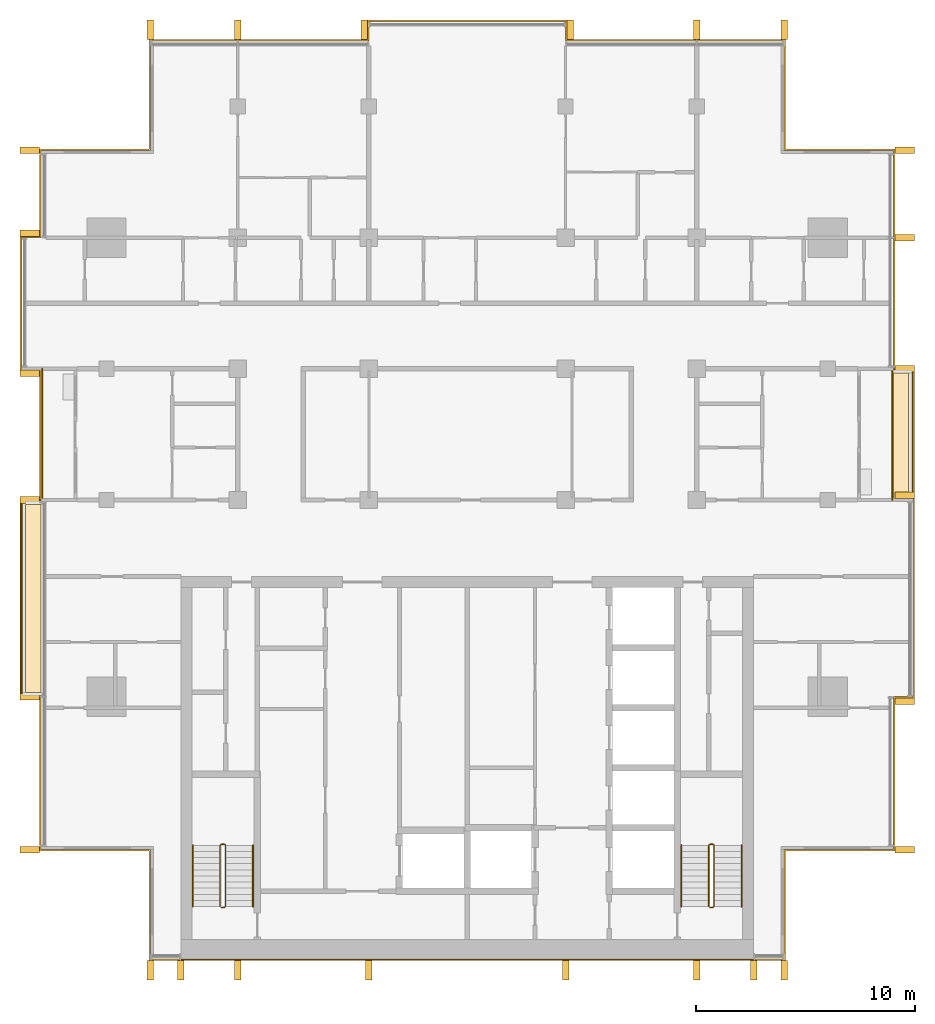
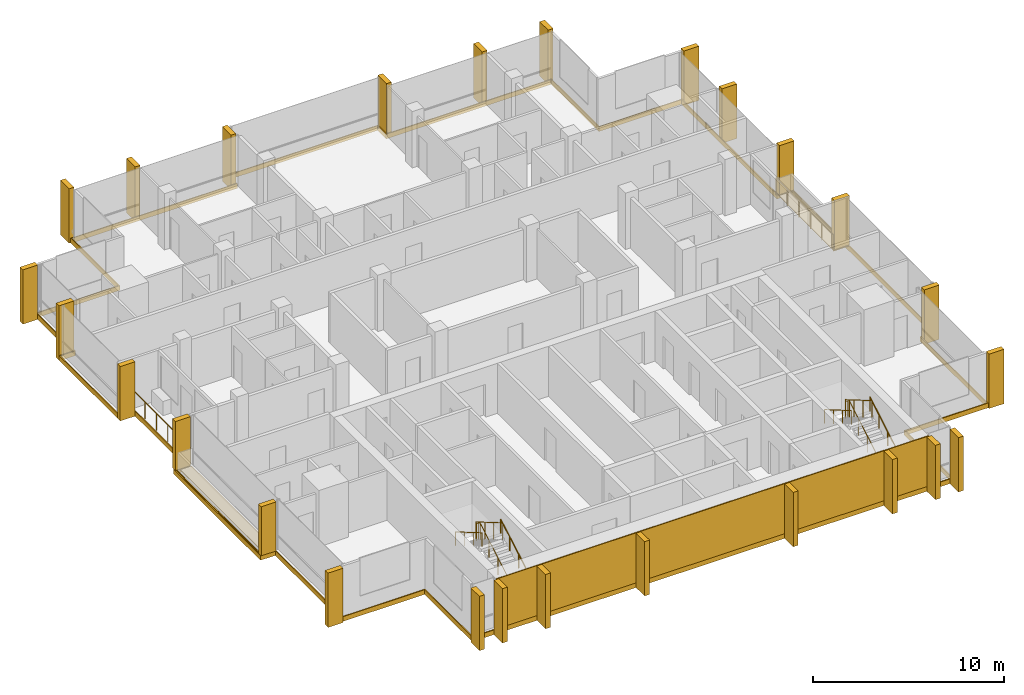
# One storey, part 16 of 16: 26 shading devices, 9 coverings, 8 railings.
"""IFC4 building model written with IfcOpenShell, lengths in metres."""

from ifc_helpers import new_model, si_unit, direction, frame, origin, origin_2d, place, context, subcontext, project, spatial, polyline, rectangle, circle, outline, extrude, material, layer, layer_set, type_object, element, save


model = new_model("IFC4")

# Units and contexts
model_context = context("Model", 3, precision=1e-05, world=origin(), true_north=direction((0.0, 1.0)))
body_context = subcontext(model_context, "Body", "Model", "MODEL_VIEW")
ifc_project = project(units=[si_unit("LENGTHUNIT", "METRE"), si_unit("AREAUNIT", "SQUARE_METRE"), si_unit("VOLUMEUNIT", "CUBIC_METRE"), si_unit("PLANEANGLEUNIT", "RADIAN"), si_unit("MASSUNIT", "GRAM", prefix="KILO")], contexts=[model_context])

# Site, building, storey
site_placement = place(None, origin())
site = spatial("IfcSite", under=ifc_project, at=site_placement, CompositionType="ELEMENT")
building_placement = place(site_placement, origin())
building = spatial("IfcBuilding", under=site, at=building_placement, Name="Finial Court Residences", CompositionType="ELEMENT")
storey_placement = place(building_placement, frame((0.0, 0.0, 295.10009765625)))
storey = spatial("IfcBuildingStorey", under=building, at=storey_placement, Name="L75", CompositionType="ELEMENT", Elevation=295.10009765625)

# Railings
ifc_material_1 = material(Name="Bronze anodised aluminium", Category="aluminium")
railing_type_1 = type_object("IfcRailingType", Name="Balcony guard 1100", PredefinedType="GUARDRAIL", material=ifc_material_1)
for number, where, name in (
    (1, (19.449951171875, -4.5, 0.0), "E-L75-BALE3-R"),
    (2, (-19.449951171875, -4.5, 0.0), "E-L75-BALW3-R"),
):
    element("IfcRailing", number, at=place(storey_placement, frame(where)), inside=storey, type_object=railing_type_1, Name=name, PredefinedType="GUARDRAIL", context=body_context, shape_type="SweptSolid", body=[
        extrude(circle(Radius=0.02392578125, at=origin_2d()), frame((0.0, 0.0, 1.076171875), z_axis=(0.0, 1.0, 0.0), x_axis=(-1.0, 0.0, 0.0)), (0.0, 0.0, 1.0), 6.0),
        extrude(circle(Radius=0.02099609375, at=origin_2d()), origin(), (0.0, 0.0, 1.0), 1.052001953125),
        extrude(circle(Radius=0.02099609375, at=origin_2d()), frame((0.0, 1.199951171875, 0.0)), (0.0, 0.0, 1.0), 1.052001953125),
        extrude(circle(Radius=0.02099609375, at=origin_2d()), frame((0.0, 2.39990234375, 0.0)), (0.0, 0.0, 1.0), 1.052001953125),
        extrude(circle(Radius=0.02099609375, at=origin_2d()), frame((0.0, 3.60009765625, 0.0)), (0.0, 0.0, 1.0), 1.052001953125),
        extrude(circle(Radius=0.02099609375, at=origin_2d()), frame((0.0, 4.800048828125, 0.0)), (0.0, 0.0, 1.0), 1.052001953125),
        extrude(circle(Radius=0.02099609375, at=origin_2d()), frame((0.0, 6.0, 0.0)), (0.0, 0.0, 1.0), 1.052001953125),
    ])

# Coverings
ifc_material_2 = material(Name="Natural limestone", Category="masonry")
ifc_layer_1 = layer(ifc_material_2, 0.06005859375)
ifc_layer_set_1 = layer_set([ifc_layer_1], Name="Limestone cladding to the blind core face 60")
covering_type_1 = type_object("IfcCoveringType", Name="Limestone cladding to the blind core face 60", PredefinedType="CLADDING", material=ifc_layer_set_1)
covering_1_placement = place(storey_placement, origin())
element("IfcCovering", 3, at=covering_1_placement, inside=storey, type_object=covering_type_1, Name="E-L75-CLAD1", PredefinedType="CLADDING", context=body_context, shape_type="SweptSolid", body=[
    extrude(outline(polyline([(-10.5, -25.56005859375), (-10.5, -25.5), (-13.10009765625, -25.5), (-13.10009765625, -25.56005859375), (-10.5, -25.56005859375)])), origin(), (0.0, 0.0, 1.0), 3.199951171875),
])
covering_2_placement = place(storey_placement, origin())
element("IfcCovering", 4, at=covering_2_placement, inside=storey, type_object=covering_type_1, Name="E-L75-CLAD2", PredefinedType="CLADDING", context=body_context, shape_type="SweptSolid", body=[
    extrude(outline(polyline([(-4.5, -25.56005859375), (-4.5, -25.5), (-10.5, -25.5), (-10.5, -25.56005859375), (-4.5, -25.56005859375)])), origin(), (0.0, 0.0, 1.0), 3.199951171875),
])
covering_3_placement = place(storey_placement, origin())
element("IfcCovering", 5, at=covering_3_placement, inside=storey, type_object=covering_type_1, Name="E-L75-CLAD3", PredefinedType="CLADDING", context=body_context, shape_type="SweptSolid", body=[
    extrude(outline(polyline([(4.5, -25.56005859375), (4.5, -25.5), (-4.5, -25.5), (-4.5, -25.56005859375), (4.5, -25.56005859375)])), origin(), (0.0, 0.0, 1.0), 3.199951171875),
])
covering_4_placement = place(storey_placement, origin())
element("IfcCovering", 6, at=covering_4_placement, inside=storey, type_object=covering_type_1, Name="E-L75-CLAD4", PredefinedType="CLADDING", context=body_context, shape_type="SweptSolid", body=[
    extrude(outline(polyline([(10.5, -25.56005859375), (10.5, -25.5), (4.5, -25.5), (4.5, -25.56005859375), (10.5, -25.56005859375)])), origin(), (0.0, 0.0, 1.0), 3.199951171875),
])
covering_5_placement = place(storey_placement, origin())
element("IfcCovering", 7, at=covering_5_placement, inside=storey, type_object=covering_type_1, Name="E-L75-CLAD5", PredefinedType="CLADDING", context=body_context, shape_type="SweptSolid", body=[
    extrude(outline(polyline([(13.10009765625, -25.56005859375), (13.10009765625, -25.5), (10.5, -25.5), (10.5, -25.56005859375), (13.10009765625, -25.56005859375)])), origin(), (0.0, 0.0, 1.0), 3.199951171875),
])

# Shading devices
shading_device_type = type_object("IfcShadingDeviceType", Name="Limestone fin 300 x 900", PredefinedType="USERDEFINED", material=ifc_material_2)
for number, where, z_axis, x_axis, name in (
    (8, (-14.5, 17.010009765625, -0.300048828125), (0.0, 0.0, 1.0), (1.0, 0.0, 0.0), "E-L75-FIN-N1"),
    (9, (-10.5, 17.010009765625, -0.300048828125), (0.0, 0.0, 1.0), (1.0, 0.0, 0.0), "E-L75-FIN-N2"),
    (10, (-4.7099609375, 17.010009765625, -0.300048828125), (0.0, 0.0, 1.0), (1.0, 0.0, 0.0), "E-L75-FIN-N3"),
    (11, (4.7099609375, 17.010009765625, -0.300048828125), (0.0, 0.0, 1.0), (1.0, 0.0, 0.0), "E-L75-FIN-N4"),
    (12, (10.5, 17.010009765625, -0.300048828125), (0.0, 0.0, 1.0), (1.0, 0.0, 0.0), "E-L75-FIN-N5"),
    (13, (14.5, 17.010009765625, -0.300048828125), (0.0, 0.0, 1.0), (1.0, 0.0, 0.0), "E-L75-FIN-N6"),
):
    element("IfcShadingDevice", number, at=place(storey_placement, frame(where, z_axis=z_axis, x_axis=x_axis)), inside=storey, type_object=shading_device_type, Name=name, ObjectType="FIN", PredefinedType="USERDEFINED", context=body_context, shape_type="SweptSolid", body=[
        extrude(rectangle(XDim=0.300048828125, YDim=0.89990234375, at=origin_2d()), origin(), (0.0, 0.0, 1.0), 3.47998046875),
    ])
for number, where, z_axis, x_axis, name in (
    (14, (20.010009765625, -20.5, -0.300048828125), (0.0, 0.0, 1.0), (1.0, 0.0, 0.0), "E-L75-FIN-E7"),
    (15, (20.010009765625, -13.7099609375, -0.300048828125), (0.0, 0.0, 1.0), (1.0, 0.0, 0.0), "E-L75-FIN-E8"),
):
    element("IfcShadingDevice", number, at=place(storey_placement, frame(where, z_axis=z_axis, x_axis=x_axis)), inside=storey, type_object=shading_device_type, Name=name, ObjectType="FIN", PredefinedType="USERDEFINED", context=body_context, shape_type="SweptSolid", body=[
        extrude(rectangle(XDim=0.89990234375, YDim=0.300048828125, at=origin_2d()), origin(), (0.0, 0.0, 1.0), 3.47998046875),
    ])
for number, where, z_axis, x_axis, name in (
    (16, (20.010009765625, -4.2900390625, 0.0400390625), (0.0, 0.0, 1.0), (1.0, 0.0, 0.0), "E-L75-FIN-E9"),
    (17, (20.010009765625, 1.5, 0.0400390625), (0.0, 0.0, 1.0), (1.0, 0.0, 0.0), "E-L75-FIN-E10"),
):
    element("IfcShadingDevice", number, at=place(storey_placement, frame(where, z_axis=z_axis, x_axis=x_axis)), inside=storey, type_object=shading_device_type, Name=name, ObjectType="FIN", PredefinedType="USERDEFINED", context=body_context, shape_type="SweptSolid", body=[
        extrude(rectangle(XDim=0.89990234375, YDim=0.300048828125, at=origin_2d()), origin(), (0.0, 0.0, 1.0), 3.139892578125),
    ])
for number, where, z_axis, x_axis, name in (
    (18, (20.010009765625, 7.5, -0.300048828125), (0.0, 0.0, 1.0), (1.0, 0.0, 0.0), "E-L75-FIN-E11"),
    (19, (20.010009765625, 11.5, -0.300048828125), (0.0, 0.0, 1.0), (1.0, 0.0, 0.0), "E-L75-FIN-E12"),
):
    element("IfcShadingDevice", number, at=place(storey_placement, frame(where, z_axis=z_axis, x_axis=x_axis)), inside=storey, type_object=shading_device_type, Name=name, ObjectType="FIN", PredefinedType="USERDEFINED", context=body_context, shape_type="SweptSolid", body=[
        extrude(rectangle(XDim=0.89990234375, YDim=0.300048828125, at=origin_2d()), origin(), (0.0, 0.0, 1.0), 3.47998046875),
    ])
for number, where, z_axis, x_axis, name in (
    (20, (-14.5, -26.010009765625, -0.300048828125), (0.0, 0.0, 1.0), (1.0, 0.0, 0.0), "E-L75-FIN-S13"),
    (21, (-13.10009765625, -26.010009765625, -0.300048828125), (0.0, 0.0, 1.0), (1.0, 0.0, 0.0), "E-L75-FIN-S14"),
    (22, (-10.5, -26.010009765625, -0.300048828125), (0.0, 0.0, 1.0), (1.0, 0.0, 0.0), "E-L75-FIN-S15"),
    (23, (-4.5, -26.010009765625, -0.300048828125), (0.0, 0.0, 1.0), (1.0, 0.0, 0.0), "E-L75-FIN-S16"),
    (24, (4.5, -26.010009765625, -0.300048828125), (0.0, 0.0, 1.0), (1.0, 0.0, 0.0), "E-L75-FIN-S17"),
    (25, (10.5, -26.010009765625, -0.300048828125), (0.0, 0.0, 1.0), (1.0, 0.0, 0.0), "E-L75-FIN-S18"),
    (26, (13.10009765625, -26.010009765625, -0.300048828125), (0.0, 0.0, 1.0), (1.0, 0.0, 0.0), "E-L75-FIN-S19"),
    (27, (14.5, -26.010009765625, -0.300048828125), (0.0, 0.0, 1.0), (1.0, 0.0, 0.0), "E-L75-FIN-S20"),
):
    element("IfcShadingDevice", number, at=place(storey_placement, frame(where, z_axis=z_axis, x_axis=x_axis)), inside=storey, type_object=shading_device_type, Name=name, ObjectType="FIN", PredefinedType="USERDEFINED", context=body_context, shape_type="SweptSolid", body=[
        extrude(rectangle(XDim=0.300048828125, YDim=0.89990234375, at=origin_2d()), origin(), (0.0, 0.0, 1.0), 3.47998046875),
    ])
shading_device_placement = place(storey_placement, frame((-20.010009765625, -20.5, -0.300048828125), z_axis=(0.0, 0.0, 1.0), x_axis=(1.0, 0.0, 0.0)))
element("IfcShadingDevice", 28, at=shading_device_placement, inside=storey, type_object=shading_device_type, Name="E-L75-FIN-W21", ObjectType="FIN", PredefinedType="USERDEFINED", context=body_context, shape_type="SweptSolid", body=[
    extrude(rectangle(XDim=0.89990234375, YDim=0.300048828125, at=origin_2d()), origin(), (0.0, 0.0, 1.0), 3.47998046875),
])
for number, where, z_axis, x_axis, name in (
    (29, (-20.010009765625, -13.5, 0.0400390625), (0.0, 0.0, 1.0), (1.0, 0.0, 0.0), "E-L75-FIN-W22"),
    (30, (-20.010009765625, -4.5, 0.0400390625), (0.0, 0.0, 1.0), (1.0, 0.0, 0.0), "E-L75-FIN-W23"),
):
    element("IfcShadingDevice", number, at=place(storey_placement, frame(where, z_axis=z_axis, x_axis=x_axis)), inside=storey, type_object=shading_device_type, Name=name, ObjectType="FIN", PredefinedType="USERDEFINED", context=body_context, shape_type="SweptSolid", body=[
        extrude(rectangle(XDim=0.89990234375, YDim=0.300048828125, at=origin_2d()), origin(), (0.0, 0.0, 1.0), 3.139892578125),
    ])
for number, where, z_axis, x_axis, name in (
    (31, (-20.010009765625, 1.2900390625, -0.300048828125), (0.0, 0.0, 1.0), (1.0, 0.0, 0.0), "E-L75-FIN-W24"),
    (32, (-20.010009765625, 7.7099609375, -0.300048828125), (0.0, 0.0, 1.0), (1.0, 0.0, 0.0), "E-L75-FIN-W25"),
    (33, (-20.010009765625, 11.5, -0.300048828125), (0.0, 0.0, 1.0), (1.0, 0.0, 0.0), "E-L75-FIN-W26"),
):
    element("IfcShadingDevice", number, at=place(storey_placement, frame(where, z_axis=z_axis, x_axis=x_axis)), inside=storey, type_object=shading_device_type, Name=name, ObjectType="FIN", PredefinedType="USERDEFINED", context=body_context, shape_type="SweptSolid", body=[
        extrude(rectangle(XDim=0.89990234375, YDim=0.300048828125, at=origin_2d()), origin(), (0.0, 0.0, 1.0), 3.47998046875),
    ])

# Coverings
ifc_material_3 = material(Name="Pale limestone", Category="masonry")
ifc_layer_2 = layer(ifc_material_3, 0.06005859375)
ifc_layer_set_2 = layer_set([ifc_layer_2], Name="Pale limestone slab-edge band 60")
covering_type_2 = type_object("IfcCoveringType", Name="Pale limestone slab-edge band 60", PredefinedType="CLADDING", material=ifc_layer_set_2)
covering_6_placement = place(storey_placement, frame((0.0, 0.0, -0.300048828125)))
element("IfcCovering", 34, at=covering_6_placement, inside=storey, type_object=covering_type_2, Name="E-L75-BAND1", PredefinedType="CLADDING", context=body_context, shape_type="SweptSolid", body=[
    extrude(outline(polyline([(-20.4599609375, 7.56005859375), (-19.56005859375, 7.56005859375), (-19.56005859375, 11.56005859375), (-14.56005859375, 11.56005859375), (-14.56005859375, 16.56005859375), (-4.56005859375, 16.56005859375), (-4.56005859375, 17.4599609375), (4.56005859375, 17.4599609375), (4.56005859375, 16.56005859375), (14.56005859375, 16.56005859375), (14.56005859375, 11.56005859375), (19.56005859375, 11.56005859375), (19.56005859375, 1.56005859375), (20.4599609375, 1.56005859375), (20.4599609375, -13.56005859375), (19.56005859375, -13.56005859375), (19.56005859375, -20.56005859375), (14.56005859375, -20.56005859375), (14.56005859375, -25.56005859375), (-14.56005859375, -25.56005859375), (-14.56005859375, -20.56005859375), (-19.56005859375, -20.56005859375), (-19.56005859375, -13.56005859375), (-20.4599609375, -13.56005859375), (-20.4599609375, -4.43994140625), (-19.56005859375, -4.43994140625), (-19.56005859375, 1.43994140625), (-20.4599609375, 1.43994140625), (-20.4599609375, 7.56005859375)]), holes=[polyline([(-19.5, 1.5), (-19.5, -4.5), (-20.39990234375, -4.5), (-20.39990234375, -13.5), (-19.5, -13.5), (-19.5, -20.5), (-14.5, -20.5), (-14.5, -25.5), (14.5, -25.5), (14.5, -20.5), (19.5, -20.5), (19.5, -13.5), (20.39990234375, -13.5), (20.39990234375, -4.5), (20.39990234375, 1.5), (19.5, 1.5), (19.5, 11.5), (14.5, 11.5), (14.5, 16.5), (4.5, 16.5), (4.5, 17.39990234375), (-4.5, 17.39990234375), (-4.5, 16.5), (-14.5, 16.5), (-14.5, 11.5), (-19.5, 11.5), (-19.5, 7.5), (-20.39990234375, 7.5), (-20.39990234375, 1.5), (-19.5, 1.5)])]), origin(), (0.0, 0.0, 1.0), 0.300048828125),
])
ifc_material_4 = material(Name="Bitumen membrane")
ifc_layer_3 = layer(ifc_material_4, 0.0400390625)
ifc_layer_set_3 = layer_set([ifc_layer_3], Name="Push box roofing, bitumen membrane 40")
covering_type_3 = type_object("IfcCoveringType", Name="Push box roofing, bitumen membrane 40", PredefinedType="ROOFING", material=ifc_layer_set_3)
covering_7_placement = place(storey_placement, origin())
element("IfcCovering", 35, at=covering_7_placement, inside=storey, type_object=covering_type_3, Name="E-L75-LED1", PredefinedType="ROOFING", context=body_context, shape_type="SweptSolid", body=[
    extrude(outline(polyline([(19.5, 1.5), (20.39990234375, 1.5), (20.39990234375, -4.5), (19.5, -4.5), (19.5, 1.5)]), holes=[polyline([(20.35009765625, -4.489990234375), (20.35009765625, 1.300048828125), (20.35009765625, 1.300048828125), (20.35009765625, 1.449951171875), (19.510009765625, 1.449951171875), (19.510009765625, 1.300048828125), (20.199951171875, 1.300048828125), (20.199951171875, -4.489990234375), (20.35009765625, -4.489990234375)])]), origin(), (0.0, 0.0, 1.0), 0.039794921875),
])
covering_8_placement = place(storey_placement, origin())
element("IfcCovering", 36, at=covering_8_placement, inside=storey, type_object=covering_type_3, Name="E-L75-LED2", PredefinedType="ROOFING", context=body_context, shape_type="SweptSolid", body=[
    extrude(outline(polyline([(-19.5, -4.550048828125), (-20.199951171875, -4.550048828125), (-20.35009765625, -4.550048828125), (-20.35009765625, -13.300048828125), (-20.35009765625, -13.300048828125), (-20.35009765625, -13.449951171875), (-19.5, -13.449951171875), (-19.5, -13.5), (-20.39990234375, -13.5), (-20.39990234375, -4.5), (-19.5, -4.5), (-19.5, -4.550048828125)])), origin(), (0.0, 0.0, 1.0), 0.039794921875),
])
covering_9_placement = place(storey_placement, origin())
element("IfcCovering", 37, at=covering_9_placement, inside=storey, type_object=covering_type_3, Name="E-L75-LED2b", PredefinedType="ROOFING", context=body_context, shape_type="SweptSolid", body=[
    extrude(outline(polyline([(-19.5, -13.300048828125), (-20.199951171875, -13.300048828125), (-20.199951171875, -4.699951171875), (-19.5, -4.699951171875), (-19.5, -13.300048828125)])), origin(), (0.0, 0.0, 1.0), 0.039794921875),
])

# Railings
ifc_material_5 = material(Name="Stainless steel railing", Category="steel")
railing_type_2 = type_object("IfcRailingType", Name="Stair guard 1100", PredefinedType="GUARDRAIL", material=ifc_material_5)
railing_1_placement = place(storey_placement, frame((-11.10009765625, -23.14990234375, 0.0)))
element("IfcRailing", 38, at=railing_1_placement, inside=storey, type_object=railing_type_2, Name="L75 ST-1 stair guard 1", PredefinedType="GUARDRAIL", context=body_context, shape_type="SweptSolid", body=[
    extrude(circle(Radius=0.02392578125, at=origin_2d()), frame((0.0, 0.0, 1.076171875), z_axis=(-1.0, 0.0, 0.0), x_axis=(0.0, -1.0, 0.0)), (0.0, 0.0, 1.0), 0.14990234375),
    extrude(circle(Radius=0.02392578125, at=origin_2d()), frame((-0.14990234375, 0.0, 1.076171875), z_axis=(0.760004195007, 0.189305074214, 0.621737253547), x_axis=(-0.241699205484, 0.970351222016, 0.0)), (0.0, 0.0, 1.0), 0.26318359375),
    extrude(circle(Radius=0.02392578125, at=origin_2d()), frame((0.050048828125, 0.0498046875, 1.23974609375), z_axis=(0.0, 0.863393664356, 0.504530851732), x_axis=(-1.0, 0.0, 0.0)), (0.0, 0.0, 1.0), 3.2431640625),
    extrude(circle(Radius=0.02392578125, at=origin_2d()), frame((0.050048828125, 2.849853515625, 2.8759765625), z_axis=(-0.707106781187, 0.707106781187, 0.0), x_axis=(-0.707106781187, -0.707106781187, 0.0)), (0.0, 0.0, 1.0), 0.07080078125),
    extrude(circle(Radius=0.02392578125, at=origin_2d()), frame((0.0, 2.89990234375, 2.8759765625), z_axis=(-1.0, 0.0, 0.0), x_axis=(0.0, -1.0, 0.0)), (0.0, 0.0, 1.0), 0.14990234375),
    extrude(circle(Radius=0.02392578125, at=origin_2d()), frame((-0.14990234375, 2.89990234375, 2.8759765625), z_axis=(-0.280456126637, -0.280456126637, 0.917980785237), x_axis=(0.707106781187, -0.707106781187, 0.0)), (0.0, 0.0, 1.0), 0.178466796875),
    extrude(circle(Radius=0.02392578125, at=origin_2d()), frame((-0.199951171875, 2.849853515625, 3.03955078125), z_axis=(0.0, -0.863393664356, 0.504530851732), x_axis=(1.0, 0.0, 0.0)), (0.0, 0.0, 1.0), 3.2431640625),
    extrude(circle(Radius=0.02099609375, at=origin_2d()), origin(), (0.0, 0.0, 1.0), 1.052001953125),
    extrude(circle(Radius=0.02099609375, at=origin_2d()), frame((-0.14990234375, 0.0, 0.0)), (0.0, 0.0, 1.0), 1.052001953125),
    extrude(circle(Radius=0.02099609375, at=origin_2d()), frame((0.050048828125, 0.0498046875, 0.16357421875)), (0.0, 0.0, 1.0), 1.052001953125),
    extrude(circle(Radius=0.02099609375, at=origin_2d()), frame((0.050048828125, 0.983154296875, 0.708984375)), (0.0, 0.0, 1.0), 1.052001953125),
    extrude(circle(Radius=0.02099609375, at=origin_2d()), frame((0.050048828125, 1.91650390625, 1.25439453125)), (0.0, 0.0, 1.0), 1.052001953125),
    extrude(circle(Radius=0.02099609375, at=origin_2d()), frame((0.050048828125, 2.849853515625, 1.7998046875)), (0.0, 0.0, 1.0), 1.052001953125),
    extrude(circle(Radius=0.02099609375, at=origin_2d()), frame((0.0, 2.89990234375, 1.7998046875)), (0.0, 0.0, 1.0), 1.052001953125),
    extrude(circle(Radius=0.02099609375, at=origin_2d()), frame((-0.14990234375, 2.89990234375, 1.7998046875)), (0.0, 0.0, 1.0), 1.052001953125),
    extrude(circle(Radius=0.02099609375, at=origin_2d()), frame((-0.199951171875, 2.849853515625, 1.963623046875)), (0.0, 0.0, 1.0), 1.052001953125),
    extrude(circle(Radius=0.02099609375, at=origin_2d()), frame((-0.199951171875, 1.91650390625, 2.509033203125)), (0.0, 0.0, 1.0), 1.052001953125),
    extrude(circle(Radius=0.02099609375, at=origin_2d()), frame((-0.199951171875, 0.983154296875, 3.054443359375)), (0.0, 0.0, 1.0), 1.052001953125),
    extrude(circle(Radius=0.02099609375, at=origin_2d()), frame((-0.199951171875, 0.0498046875, 3.599853515625)), (0.0, 0.0, 1.0), 1.052001953125),
])
railing_2_placement = place(storey_placement, frame((11.25, -23.14990234375, 0.0)))
element("IfcRailing", 39, at=railing_2_placement, inside=storey, type_object=railing_type_2, Name="L75 ST-2 stair guard 1", PredefinedType="GUARDRAIL", context=body_context, shape_type="SweptSolid", body=[
    extrude(circle(Radius=0.02392578125, at=origin_2d()), frame((0.0, 0.0, 1.076171875), z_axis=(-1.0, 0.0, 0.0), x_axis=(0.0, -1.0, 0.0)), (0.0, 0.0, 1.0), 0.14990234375),
    extrude(circle(Radius=0.02392578125, at=origin_2d()), frame((-0.14990234375, 0.0, 1.076171875), z_axis=(0.760004195007, 0.189305074214, 0.621737253547), x_axis=(-0.241699205484, 0.970351222016, 0.0)), (0.0, 0.0, 1.0), 0.26318359375),
    extrude(circle(Radius=0.02392578125, at=origin_2d()), frame((0.050048828125, 0.0498046875, 1.23974609375), z_axis=(0.0, 0.863393664356, 0.504530851732), x_axis=(-1.0, 0.0, 0.0)), (0.0, 0.0, 1.0), 3.2431640625),
    extrude(circle(Radius=0.02392578125, at=origin_2d()), frame((0.050048828125, 2.849853515625, 2.8759765625), z_axis=(-0.707106781187, 0.707106781187, 0.0), x_axis=(-0.707106781187, -0.707106781187, 0.0)), (0.0, 0.0, 1.0), 0.07080078125),
    extrude(circle(Radius=0.02392578125, at=origin_2d()), frame((0.0, 2.89990234375, 2.8759765625), z_axis=(-1.0, 0.0, 0.0), x_axis=(0.0, -1.0, 0.0)), (0.0, 0.0, 1.0), 0.14990234375),
    extrude(circle(Radius=0.02392578125, at=origin_2d()), frame((-0.14990234375, 2.89990234375, 2.8759765625), z_axis=(-0.280456126637, -0.280456126637, 0.917980785237), x_axis=(0.707106781187, -0.707106781187, 0.0)), (0.0, 0.0, 1.0), 0.178466796875),
    extrude(circle(Radius=0.02392578125, at=origin_2d()), frame((-0.199951171875, 2.849853515625, 3.03955078125), z_axis=(0.0, -0.863393664356, 0.504530851732), x_axis=(1.0, 0.0, 0.0)), (0.0, 0.0, 1.0), 3.2431640625),
    extrude(circle(Radius=0.02099609375, at=origin_2d()), origin(), (0.0, 0.0, 1.0), 1.052001953125),
    extrude(circle(Radius=0.02099609375, at=origin_2d()), frame((-0.14990234375, 0.0, 0.0)), (0.0, 0.0, 1.0), 1.052001953125),
    extrude(circle(Radius=0.02099609375, at=origin_2d()), frame((0.050048828125, 0.0498046875, 0.16357421875)), (0.0, 0.0, 1.0), 1.052001953125),
    extrude(circle(Radius=0.02099609375, at=origin_2d()), frame((0.050048828125, 0.983154296875, 0.708984375)), (0.0, 0.0, 1.0), 1.052001953125),
    extrude(circle(Radius=0.02099609375, at=origin_2d()), frame((0.050048828125, 1.91650390625, 1.25439453125)), (0.0, 0.0, 1.0), 1.052001953125),
    extrude(circle(Radius=0.02099609375, at=origin_2d()), frame((0.050048828125, 2.849853515625, 1.7998046875)), (0.0, 0.0, 1.0), 1.052001953125),
    extrude(circle(Radius=0.02099609375, at=origin_2d()), frame((0.0, 2.89990234375, 1.7998046875)), (0.0, 0.0, 1.0), 1.052001953125),
    extrude(circle(Radius=0.02099609375, at=origin_2d()), frame((-0.14990234375, 2.89990234375, 1.7998046875)), (0.0, 0.0, 1.0), 1.052001953125),
    extrude(circle(Radius=0.02099609375, at=origin_2d()), frame((-0.199951171875, 2.849853515625, 1.963623046875)), (0.0, 0.0, 1.0), 1.052001953125),
    extrude(circle(Radius=0.02099609375, at=origin_2d()), frame((-0.199951171875, 1.91650390625, 2.509033203125)), (0.0, 0.0, 1.0), 1.052001953125),
    extrude(circle(Radius=0.02099609375, at=origin_2d()), frame((-0.199951171875, 0.983154296875, 3.054443359375)), (0.0, 0.0, 1.0), 1.052001953125),
    extrude(circle(Radius=0.02099609375, at=origin_2d()), frame((-0.199951171875, 0.0498046875, 3.599853515625)), (0.0, 0.0, 1.0), 1.052001953125),
])
railing_type_3 = type_object("IfcRailingType", Name="Stair handrail 900", PredefinedType="HANDRAIL", material=ifc_material_5)
railing_3_placement = place(storey_placement, frame((-9.800048828125, -23.10009765625, 0.16357421875)))
element("IfcRailing", 40, at=railing_3_placement, inside=storey, type_object=railing_type_3, Name="L75 ST-1 stair handrail 1", PredefinedType="HANDRAIL", context=body_context, shape_type="SweptSolid", body=[
    extrude(circle(Radius=0.02392578125, at=origin_2d()), frame((0.0, 0.0, 0.8759765625), z_axis=(0.0, 0.863393664356, 0.504530851732), x_axis=(-1.0, 0.0, 0.0)), (0.0, 0.0, 1.0), 3.2431640625),
    extrude(circle(Radius=0.02099609375, at=origin_2d()), origin(), (0.0, 0.0, 1.0), 0.851806640625),
    extrude(circle(Radius=0.02099609375, at=origin_2d()), frame((0.0, 0.933349609375, 0.54541015625)), (0.0, 0.0, 1.0), 0.851806640625),
    extrude(circle(Radius=0.02099609375, at=origin_2d()), frame((0.0, 1.86669921875, 1.0908203125)), (0.0, 0.0, 1.0), 0.851806640625),
    extrude(circle(Radius=0.02099609375, at=origin_2d()), frame((0.0, 2.800048828125, 1.63623046875)), (0.0, 0.0, 1.0), 0.851806640625),
])
railing_4_placement = place(storey_placement, frame((-12.550048828125, -20.300048828125, 1.963623046875)))
element("IfcRailing", 41, at=railing_4_placement, inside=storey, type_object=railing_type_3, Name="L75 ST-1 stair handrail 2", PredefinedType="HANDRAIL", context=body_context, shape_type="SweptSolid", body=[
    extrude(circle(Radius=0.02392578125, at=origin_2d()), frame((0.0, 0.0, 0.8759765625), z_axis=(0.0, -0.863393664356, 0.504530851732), x_axis=(1.0, 0.0, 0.0)), (0.0, 0.0, 1.0), 3.2431640625),
    extrude(circle(Radius=0.02099609375, at=origin_2d()), origin(), (0.0, 0.0, 1.0), 0.851806640625),
    extrude(circle(Radius=0.02099609375, at=origin_2d()), frame((0.0, -0.933349609375, 0.54541015625)), (0.0, 0.0, 1.0), 0.851806640625),
    extrude(circle(Radius=0.02099609375, at=origin_2d()), frame((0.0, -1.86669921875, 1.0908203125)), (0.0, 0.0, 1.0), 0.851806640625),
    extrude(circle(Radius=0.02099609375, at=origin_2d()), frame((0.0, -2.800048828125, 1.63623046875)), (0.0, 0.0, 1.0), 0.851806640625),
])
railing_5_placement = place(storey_placement, frame((12.550048828125, -23.10009765625, 0.16357421875)))
element("IfcRailing", 42, at=railing_5_placement, inside=storey, type_object=railing_type_3, Name="L75 ST-2 stair handrail 1", PredefinedType="HANDRAIL", context=body_context, shape_type="SweptSolid", body=[
    extrude(circle(Radius=0.02392578125, at=origin_2d()), frame((0.0, 0.0, 0.8759765625), z_axis=(0.0, 0.863393664356, 0.504530851732), x_axis=(-1.0, 0.0, 0.0)), (0.0, 0.0, 1.0), 3.2431640625),
    extrude(circle(Radius=0.02099609375, at=origin_2d()), origin(), (0.0, 0.0, 1.0), 0.851806640625),
    extrude(circle(Radius=0.02099609375, at=origin_2d()), frame((0.0, 0.933349609375, 0.54541015625)), (0.0, 0.0, 1.0), 0.851806640625),
    extrude(circle(Radius=0.02099609375, at=origin_2d()), frame((0.0, 1.86669921875, 1.0908203125)), (0.0, 0.0, 1.0), 0.851806640625),
    extrude(circle(Radius=0.02099609375, at=origin_2d()), frame((0.0, 2.800048828125, 1.63623046875)), (0.0, 0.0, 1.0), 0.851806640625),
])
railing_6_placement = place(storey_placement, frame((9.800048828125, -20.300048828125, 1.963623046875)))
element("IfcRailing", 43, at=railing_6_placement, inside=storey, type_object=railing_type_3, Name="L75 ST-2 stair handrail 2", PredefinedType="HANDRAIL", context=body_context, shape_type="SweptSolid", body=[
    extrude(circle(Radius=0.02392578125, at=origin_2d()), frame((0.0, 0.0, 0.8759765625), z_axis=(0.0, -0.863393664356, 0.504530851732), x_axis=(1.0, 0.0, 0.0)), (0.0, 0.0, 1.0), 3.2431640625),
    extrude(circle(Radius=0.02099609375, at=origin_2d()), origin(), (0.0, 0.0, 1.0), 0.851806640625),
    extrude(circle(Radius=0.02099609375, at=origin_2d()), frame((0.0, -0.933349609375, 0.54541015625)), (0.0, 0.0, 1.0), 0.851806640625),
    extrude(circle(Radius=0.02099609375, at=origin_2d()), frame((0.0, -1.86669921875, 1.0908203125)), (0.0, 0.0, 1.0), 0.851806640625),
    extrude(circle(Radius=0.02099609375, at=origin_2d()), frame((0.0, -2.800048828125, 1.63623046875)), (0.0, 0.0, 1.0), 0.851806640625),
])

save(model, "model.ifc")
